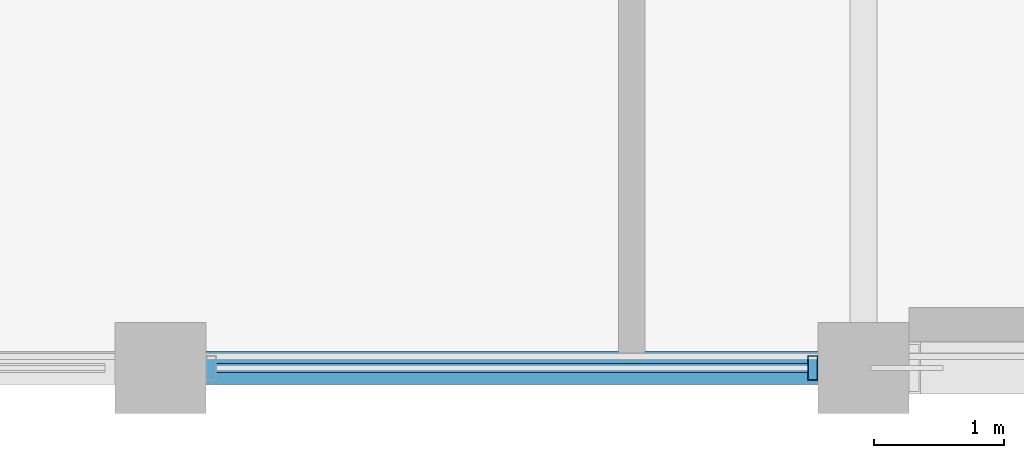
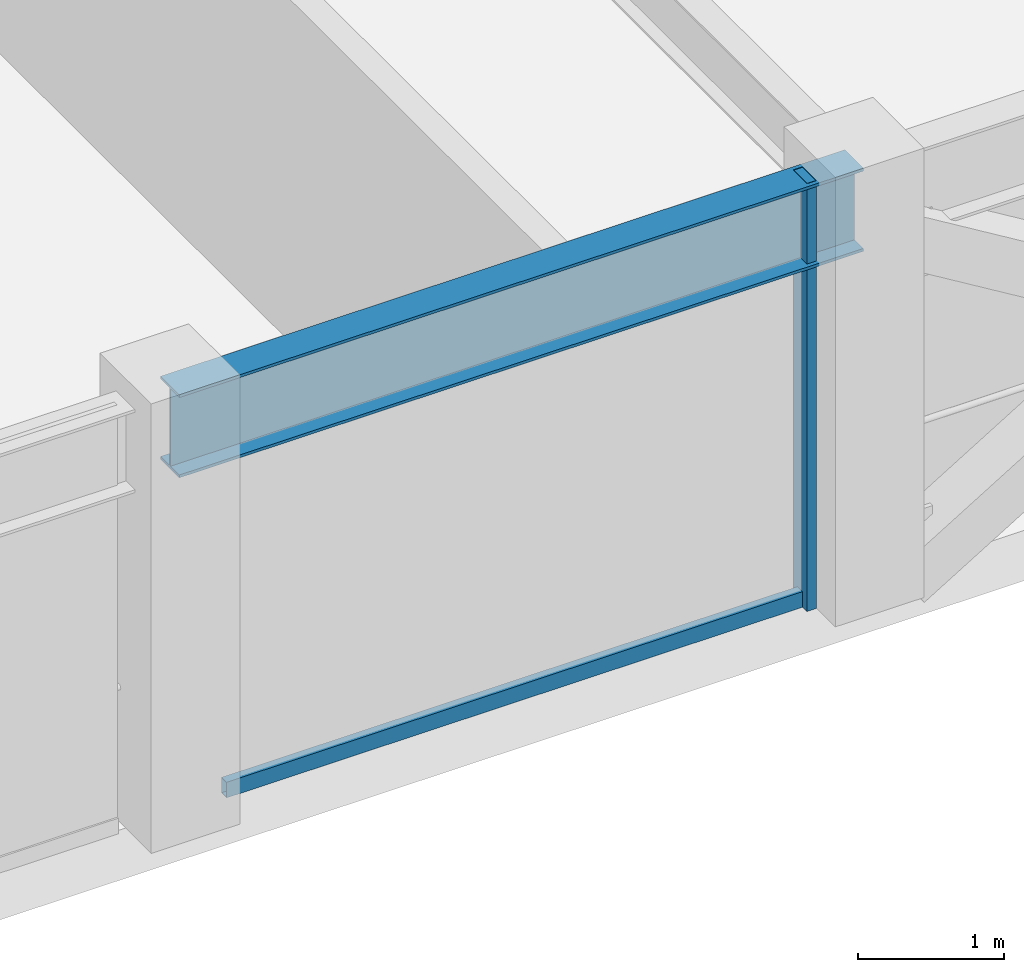
# One storey, part 3 of 34: 2 members, 1 beam, 1 element without a shape of its own.
"""IFC4 building model written with IfcOpenShell, lengths in metres."""

from ifc_helpers import new_model, si_unit, direction, frame, origin, origin_2d, place, context, subcontext, project, spatial, hollow_rectangle, i_section, extrude, material, layer, layer_set, material_profile, profile_set, type_object, element, aggregate, save


model = new_model("IFC4")

# Units and contexts
model_context = context("Model", 3, precision=1e-05, world=origin(), true_north=direction((0.0, 1.0)))
body_context = subcontext(model_context, "Body", "Model", "MODEL_VIEW")
ifc_project = project(units=[si_unit("LENGTHUNIT", "METRE"), si_unit("AREAUNIT", "SQUARE_METRE"), si_unit("VOLUMEUNIT", "CUBIC_METRE"), si_unit("PLANEANGLEUNIT", "RADIAN"), si_unit("MASSUNIT", "GRAM", prefix="KILO")], contexts=[model_context])

# Site, building, storey
site_placement = place(None, origin())
site = spatial("IfcSite", under=ifc_project, at=site_placement, CompositionType="ELEMENT")
building_placement = place(site_placement, origin())
building = spatial("IfcBuilding", under=site, at=building_placement, Name="Surkhivell Harbour Commons", CompositionType="ELEMENT")
storey_placement = place(building_placement, frame((0.0, 0.0, 258.75)))
storey = spatial("IfcBuildingStorey", under=building, at=storey_placement, Name="L67", CompositionType="ELEMENT", Elevation=258.75)

# Beam
ifc_material_1 = material(Name="Steel S355", Category="steel")
ifc_material_profile_1 = material_profile(ifc_material_1, i_section(OverallWidth=0.256103515625, OverallDepth=0.693115234375, WebThickness=0.014404296875, FlangeThickness=0.023681640625, at=origin_2d()), Name="UB686x254x170")
ifc_profile_set_1 = profile_set([ifc_material_profile_1], Name="Steel S355")
beam_type = type_object("IfcBeamType", Name="BM-SPN-686", PredefinedType="SPANDREL", material=ifc_profile_set_1)
beam_placement = place(storey_placement, frame((-16.199951171875, -21.60009765625, 3.223388671875), z_axis=(1.0, 0.0, 0.0), x_axis=(0.0, 1.0, 0.0)))
element("IfcBeam", 1, at=beam_placement, inside=storey, type_object=beam_type, Name="L67 Tube Spandrel (-16.2,-21.6)", PredefinedType="SPANDREL", context=body_context, shape_type="SweptSolid", body=[
    extrude(i_section(OverallWidth=0.256103515625, OverallDepth=0.693115234375, WebThickness=0.014404296875, FlangeThickness=0.023681640625, at=origin_2d()), origin(), (0.0, 0.0, 1.0), 5.39990234375),
])

# Curtain wall, members
ifc_material_2 = material(Name="Anodised pale-metal aluminium and insulated glazing", Category="aluminium")
ifc_layer = layer(ifc_material_2, 0.175048828125)
ifc_layer_set = layer_set([ifc_layer], Name="Anodised pale-metal aluminium and insulated glazing")
curtain_wall_type = type_object("IfcCurtainWallType", Name="CW-SYS-Z4", PredefinedType="NOTDEFINED", material=ifc_layer_set)
curtain_wall_placement = place(storey_placement, origin())
curtain_wall = element("IfcCurtainWall", 2, at=curtain_wall_placement, inside=storey, type_object=curtain_wall_type, Name="L67 Curtain Wall CW-L67-E00S1", PredefinedType="NOTDEFINED")
ifc_material_3 = material(Name="Anodised pale-metal aluminium alloy 6063-T6", Category="aluminium")
ifc_material_profile_2 = material_profile(ifc_material_3, hollow_rectangle(XDim=0.074951171875, YDim=0.18994140625, WallThickness=0.00390625, at=origin_2d()), Name="ALU-MULL-75x190")
ifc_profile_set_2 = profile_set([ifc_material_profile_2], Name="Anodised pale-metal aluminium alloy 6063-T6")
member_type_1 = type_object("IfcMemberType", Name="CWM-190", PredefinedType="MULLION", material=ifc_profile_set_2)
member_1_placement = place(storey_placement, frame((-11.189453125, -21.60009765625, 0.0), z_axis=(0.0, 0.0, 1.0), x_axis=(1.0, 0.0, 0.0)))
member_1 = element("IfcMember", 3, at=member_1_placement, type_object=member_type_1, Name="CW-Z4 mullion 3", PredefinedType="MULLION", context=body_context, shape_type="SweptSolid", body=[
    extrude(hollow_rectangle(XDim=0.074951171875, YDim=0.18994140625, WallThickness=0.00390625, at=origin_2d()), origin(), (0.0, 0.0, 1.0), 3.570068359375),
])
ifc_material_4 = material(Name="Champagne anodised aluminium alloy 6063-T6", Category="aluminium")
ifc_material_profile_3 = material_profile(ifc_material_4, hollow_rectangle(XDim=0.070068359375, YDim=0.1298828125, WallThickness=0.00341796875, at=origin_2d()), Name="ALU-TRAN-70x130")
ifc_profile_set_3 = profile_set([ifc_material_profile_3], Name="Champagne anodised aluminium alloy 6063-T6")
member_type_2 = type_object("IfcMemberType", Name="CWT-130", PredefinedType="USERDEFINED", material=ifc_profile_set_3)
member_2_placement = place(storey_placement, frame((-15.77294921875, -21.60009765625, 0.06494140625), z_axis=(1.0, 0.0, 0.0), x_axis=(0.0, 1.0, 0.0)))
member_2 = element("IfcMember", 4, at=member_2_placement, type_object=member_type_2, Name="CW-Z4 transom 2.1", ObjectType="TRANSOM", PredefinedType="USERDEFINED", context=body_context, shape_type="SweptSolid", body=[
    extrude(hollow_rectangle(XDim=0.070068359375, YDim=0.1298828125, WallThickness=0.00341796875, at=origin_2d()), origin(), (0.0, 0.0, 1.0), 4.5458984375),
])
aggregate(curtain_wall, [member_1, member_2])

save(model, "model.ifc")
